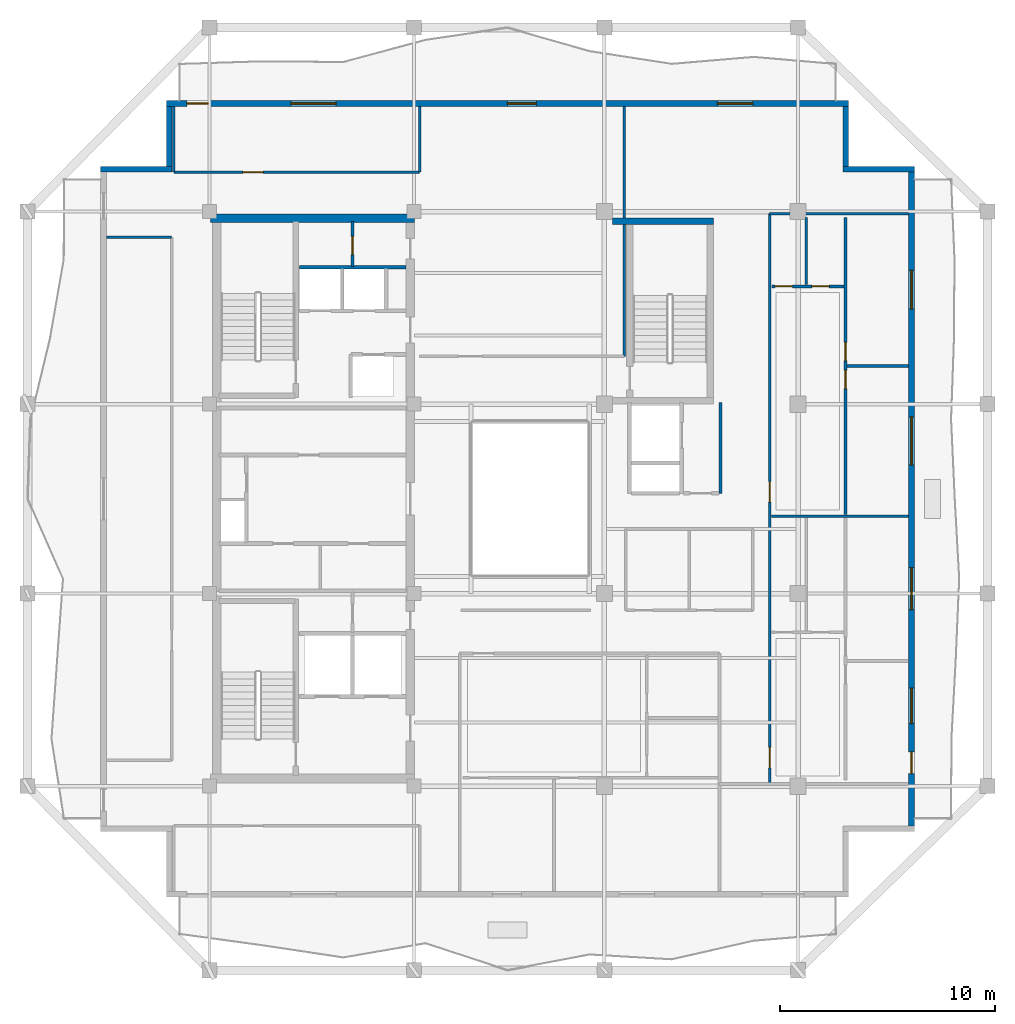
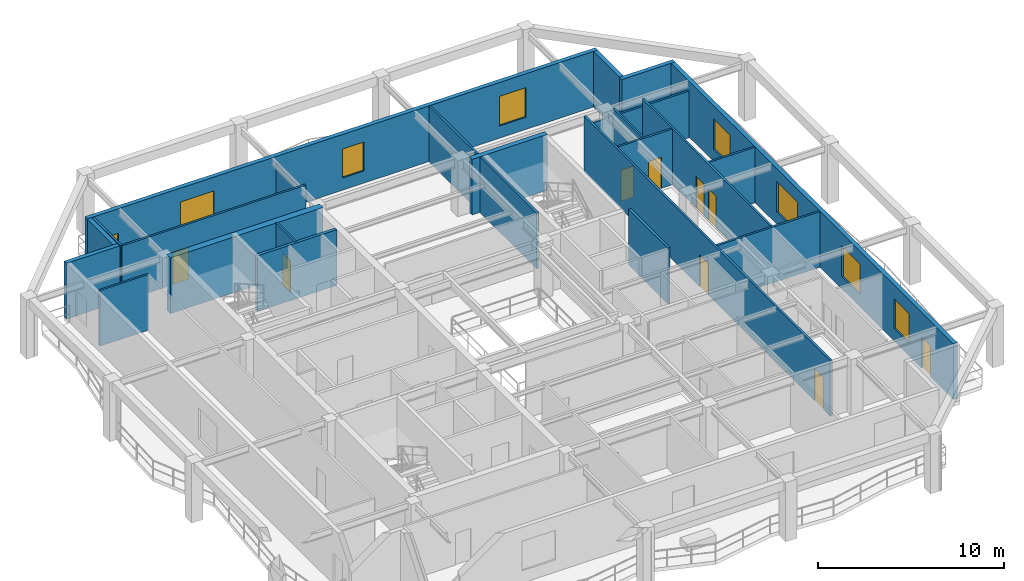
# One storey, part 5 of 10: 23 walls, 10 doors, 7 windows, 17 openings.
"""IFC4 building model written with IfcOpenShell, lengths in metres."""

from ifc_helpers import new_model, si_unit, direction, frame, frame_2d, origin, place, context, subcontext, project, spatial, rectangle, extrude, material, layer, layer_set, type_object, element, fill, save


model = new_model("IFC4")

# Units and contexts
model_context = context("Model", 3, precision=1e-05, world=origin(), true_north=direction((0.0, 1.0)))
body_context = subcontext(model_context, "Body", "Model", "MODEL_VIEW")
ifc_project = project(units=[si_unit("LENGTHUNIT", "METRE"), si_unit("AREAUNIT", "SQUARE_METRE"), si_unit("VOLUMEUNIT", "CUBIC_METRE"), si_unit("PLANEANGLEUNIT", "RADIAN"), si_unit("MASSUNIT", "GRAM", prefix="KILO")], contexts=[model_context])

# Site, building, storey
site_placement = place(None, origin())
site = spatial("IfcSite", under=ifc_project, at=site_placement, CompositionType="ELEMENT")
building_placement = place(site_placement, origin())
building = spatial("IfcBuilding", under=site, at=building_placement, Name="Kundavana Baori Tower", CompositionType="ELEMENT")
storey_placement = place(building_placement, frame((0.0, 0.0, 272.60009765625)))
storey = spatial("IfcBuildingStorey", under=building, at=storey_placement, Name="L67", CompositionType="ELEMENT", Elevation=272.60009765625)

# Wall
ifc_material_1 = material(Name="Concrete C50/60", Category="concrete")
ifc_layer_1 = layer(ifc_material_1, 0.39990234375, Name="WL-CORE-400")
ifc_layer_set_1 = layer_set([ifc_layer_1], Name="Concrete C50/60")
wall_type_1 = type_object("IfcWallType", Name="WL-CORE-400", PredefinedType="SHEAR", material=ifc_layer_set_1)
wall_1_placement = place(storey_placement, frame((15.5, 41.639892578125, 0.0), z_axis=(0.0, 0.0, 1.0), x_axis=(1.0, 0.0, 0.0)))
element("IfcWall", 1, at=wall_1_placement, inside=storey, type_object=wall_type_1, Name="L67 Offset Core North Shear Wall", PredefinedType="SHEAR", context=body_context, shape_type="SweptSolid", body=[
    extrude(rectangle(XDim=9.47998046875, YDim=0.39990234375, at=frame_2d((4.739990234375, 0.0))), origin(), (0.0, 0.0, 1.0), 3.659912109375),
])

# Wall, openings, door, windows
ifc_material_2 = material(Name="Kiln-Fired Terracotta Brick-Slip Masonry on Concrete C40/50", Category="masonry")
ifc_layer_2 = layer(ifc_material_2, 0.260009765625, Name="WL-EXT-BRK-260")
ifc_layer_set_2 = layer_set([ifc_layer_2], Name="Kiln-Fired Terracotta Brick-Slip Masonry on Concrete C40/50")
wall_type_2 = type_object("IfcWallType", Name="WL-EXT-BRK-260", PredefinedType="SOLIDWALL", material=ifc_layer_set_2)
wall_2_placement = place(storey_placement, frame((48.070068359375, 13.409912109375, 0.0), z_axis=(0.0, 0.0, 1.0), x_axis=(0.0, 1.0, 0.0)))
wall_2 = element("IfcWall", 2, at=wall_2_placement, inside=storey, type_object=wall_type_2, Name="L67 Exterior Insulated Facade Wall 04", PredefinedType="SOLIDWALL", context=body_context, shape_type="SweptSolid", body=[
    extrude(rectangle(XDim=30.380126953125, YDim=0.260009765625, at=frame_2d((15.18994140625, 0.0))), origin(), (0.0, 0.0, 1.0), 3.659912109375),
])
opening_1_placement = place(wall_2_placement, frame((2.429931640625, 0.0, 0.0)))
opening_1 = element("IfcOpeningElement", 3, at=opening_1_placement, cuts=wall_2, Name="Opening BD-1", PredefinedType="OPENING", context=body_context, shape_type="SweptSolid", body=[
    extrude(rectangle(XDim=1.0, YDim=2.050048828125, at=frame_2d((0.5, 1.02490234375))), frame((0.0, 0.14013671875, 0.0), z_axis=(0.0, -1.0, 0.0), x_axis=(1.0, 0.0, 0.0)), (0.0, 0.0, 1.0), 0.280029296875),
])
opening_2_placement = place(wall_2_placement, frame((4.75, 0.0, 0.800048828125)))
opening_2 = element("IfcOpeningElement", 4, at=opening_2_placement, cuts=wall_2, Name="Opening W-08", PredefinedType="OPENING", context=body_context, shape_type="SweptSolid", body=[
    extrude(rectangle(XDim=1.64990234375, YDim=1.949951171875, at=frame_2d((0.824951171875, 0.97509765625))), frame((0.0, 0.14013671875, 0.0), z_axis=(0.0, -1.0, 0.0), x_axis=(1.0, 0.0, 0.0)), (0.0, 0.0, 1.0), 0.280029296875),
])
opening_3_placement = place(wall_2_placement, frame((10.050048828125, 0.0, 0.800048828125)))
opening_3 = element("IfcOpeningElement", 5, at=opening_3_placement, cuts=wall_2, Name="Opening W-09", PredefinedType="OPENING", context=body_context, shape_type="SweptSolid", body=[
    extrude(rectangle(XDim=1.949951171875, YDim=2.0, at=frame_2d((0.97509765625, 1.0))), frame((0.0, 0.14013671875, 0.0), z_axis=(0.0, -1.0, 0.0), x_axis=(1.0, 0.0, 0.0)), (0.0, 0.0, 1.0), 0.280029296875),
])
opening_4_placement = place(wall_2_placement, frame((16.7529296875, 0.0, 0.800048828125)))
opening_4 = element("IfcOpeningElement", 6, at=opening_4_placement, cuts=wall_2, Name="Opening W-10", PredefinedType="OPENING", context=body_context, shape_type="SweptSolid", body=[
    extrude(rectangle(XDim=2.25, YDim=2.0, at=frame_2d((1.125, 1.0))), frame((0.0, 0.14013671875, 0.0), z_axis=(0.0, -1.0, 0.0), x_axis=(1.0, 0.0, 0.0)), (0.0, 0.0, 1.0), 0.280029296875),
])
opening_5_placement = place(wall_2_placement, frame((24.0029296875, 0.0, 0.800048828125)))
opening_5 = element("IfcOpeningElement", 7, at=opening_5_placement, cuts=wall_2, Name="Opening W-01", PredefinedType="OPENING", context=body_context, shape_type="SweptSolid", body=[
    extrude(rectangle(XDim=1.800048828125, YDim=2.0, at=frame_2d((0.89990234375, 1.0))), frame((0.0, 0.14013671875, 0.0), z_axis=(0.0, -1.0, 0.0), x_axis=(1.0, 0.0, 0.0)), (0.0, 0.0, 1.0), 0.280029296875),
])
ifc_material_3 = material(Name="Architectural Patinated Bronze Metalwork")
door_type_1 = type_object("IfcDoorType", Name="DR-EXT-LOG-1000", OperationType="NOTDEFINED", PredefinedType="DOOR", material=ifc_material_3)
door_1_placement = place(opening_1_placement, frame((1.0, 0.0, 0.0), z_axis=(0.0, 0.0, 1.0), x_axis=(-1.0, 0.0, 0.0)))
door_1 = element("IfcDoor", 8, at=door_1_placement, inside=storey, type_object=door_type_1, Name="L67 Loggia Balcony Access Door E", OperationType="SINGLE_SWING_RIGHT", OverallHeight=2.050048828125, OverallWidth=1.0, PredefinedType="DOOR", context=body_context, shape_type="SweptSolid", body=[
    extrude(rectangle(XDim=1.0, YDim=2.050048828125, at=frame_2d((0.5, 1.02490234375))), frame((0.0, 0.02490234375, 0.0), z_axis=(0.0, -1.0, 0.0), x_axis=(1.0, 0.0, 0.0)), (0.0, 0.0, 1.0), 0.050048828125),
])
fill(opening_1, door_1)
ifc_material_4 = material(Name="Double-Glazed Solar-Control Low-E Insulated Glass", Category="glass")
window_type_1 = type_object("IfcWindowType", Name="WIN-LOG-1650x1950", PartitioningType="SINGLE_PANEL", PredefinedType="WINDOW", material=ifc_material_4)
window_1_placement = place(opening_2_placement, origin())
window_1 = element("IfcWindow", 9, at=window_1_placement, inside=storey, type_object=window_type_1, Name="L67 Recessed Loggia Window E-1", OverallHeight=1.949951171875, OverallWidth=1.64990234375, PartitioningType="SINGLE_PANEL", PredefinedType="WINDOW", context=body_context, shape_type="SweptSolid", body=[
    extrude(rectangle(XDim=1.64990234375, YDim=1.949951171875, at=frame_2d((0.824951171875, 0.97509765625))), frame((0.0, 0.030029296875, 0.0), z_axis=(0.0, -1.0, 0.0), x_axis=(1.0, 0.0, 0.0)), (0.0, 0.0, 1.0), 0.06005859375),
])
fill(opening_2, window_1)
ifc_material_5 = material(Name="Double-Glazed Solar-Control Low-E Insulated Glass", Category="glass")
window_type_2 = type_object("IfcWindowType", Name="WIN-LOG-1800x2000", PartitioningType="SINGLE_PANEL", PredefinedType="WINDOW", material=ifc_material_5)
window_2_placement = place(opening_5_placement, origin())
window_2 = element("IfcWindow", 10, at=window_2_placement, inside=storey, type_object=window_type_2, Name="L67 Recessed Loggia Window E-4", OverallHeight=2.0, OverallWidth=1.800048828125, PartitioningType="SINGLE_PANEL", PredefinedType="WINDOW", context=body_context, shape_type="SweptSolid", body=[
    extrude(rectangle(XDim=1.800048828125, YDim=2.0, at=frame_2d((0.89990234375, 1.0))), frame((0.0, 0.030029296875, 0.0), z_axis=(0.0, -1.0, 0.0), x_axis=(1.0, 0.0, 0.0)), (0.0, 0.0, 1.0), 0.06005859375),
])
fill(opening_5, window_2)
ifc_material_6 = material(Name="Double-Glazed Solar-Control Low-E Insulated Glass", Category="glass")
window_type_3 = type_object("IfcWindowType", Name="WIN-LOG-1950x2000", PartitioningType="SINGLE_PANEL", PredefinedType="WINDOW", material=ifc_material_6)
window_3_placement = place(opening_3_placement, origin())
window_3 = element("IfcWindow", 11, at=window_3_placement, inside=storey, type_object=window_type_3, Name="L67 Recessed Loggia Window E-2", OverallHeight=2.0, OverallWidth=1.949951171875, PartitioningType="SINGLE_PANEL", PredefinedType="WINDOW", context=body_context, shape_type="SweptSolid", body=[
    extrude(rectangle(XDim=1.949951171875, YDim=2.0, at=frame_2d((0.97509765625, 1.0))), frame((0.0, 0.030029296875, 0.0), z_axis=(0.0, -1.0, 0.0), x_axis=(1.0, 0.0, 0.0)), (0.0, 0.0, 1.0), 0.06005859375),
])
fill(opening_3, window_3)
ifc_material_7 = material(Name="Double-Glazed Solar-Control Low-E Insulated Glass", Category="glass")
window_type_4 = type_object("IfcWindowType", Name="WIN-LOG-2250x2000", PartitioningType="SINGLE_PANEL", PredefinedType="WINDOW", material=ifc_material_7)
window_4_placement = place(opening_4_placement, origin())
window_4 = element("IfcWindow", 12, at=window_4_placement, inside=storey, type_object=window_type_4, Name="L67 Recessed Loggia Window E-3", OverallHeight=2.0, OverallWidth=2.25, PartitioningType="SINGLE_PANEL", PredefinedType="WINDOW", context=body_context, shape_type="SweptSolid", body=[
    extrude(rectangle(XDim=2.25, YDim=2.0, at=frame_2d((1.125, 1.0))), frame((0.0, 0.030029296875, 0.0), z_axis=(0.0, -1.0, 0.0), x_axis=(1.0, 0.0, 0.0)), (0.0, 0.0, 1.0), 0.06005859375),
])
fill(opening_4, window_4)

# Walls
wall_3_placement = place(storey_placement, frame((48.199951171875, 43.919921875, 0.0), z_axis=(0.0, 0.0, 1.0), x_axis=(-1.0, 0.0, 0.0)))
element("IfcWall", 13, at=wall_3_placement, inside=storey, type_object=wall_type_2, Name="L67 Exterior Insulated Facade Wall 05", PredefinedType="SOLIDWALL", context=body_context, shape_type="SweptSolid", body=[
    extrude(rectangle(XDim=3.31005859375, YDim=0.260009765625, at=frame_2d((1.655029296875, 0.0))), origin(), (0.0, 0.0, 1.0), 3.659912109375),
])
wall_4_placement = place(storey_placement, frame((45.02001953125, 44.050048828125, 0.0), z_axis=(0.0, 0.0, 1.0), x_axis=(0.0, 1.0, 0.0)))
element("IfcWall", 14, at=wall_4_placement, inside=storey, type_object=wall_type_2, Name="L67 Exterior Insulated Facade Wall 06", PredefinedType="SOLIDWALL", context=body_context, shape_type="SweptSolid", body=[
    extrude(rectangle(XDim=2.7900390625, YDim=0.260009765625, at=frame_2d((1.39501953125, 0.0))), origin(), (0.0, 0.0, 1.0), 3.659912109375),
])

# Wall, openings, door, windows
wall_5_placement = place(storey_placement, frame((45.14990234375, 46.969970703125, 0.0), z_axis=(0.0, 0.0, 1.0), x_axis=(-1.0, 0.0, 0.0)))
wall_5 = element("IfcWall", 15, at=wall_5_placement, inside=storey, type_object=wall_type_2, Name="L67 Exterior Insulated Facade Wall 07", PredefinedType="SOLIDWALL", context=body_context, shape_type="SweptSolid", body=[
    extrude(rectangle(XDim=31.699951171875, YDim=0.260009765625, at=frame_2d((15.85009765625, 0.0))), origin(), (0.0, 0.0, 1.0), 3.659912109375),
])
opening_6_placement = place(wall_5_placement, frame((29.75, 0.0, 0.0)))
opening_6 = element("IfcOpeningElement", 16, at=opening_6_placement, cuts=wall_5, Name="Opening BD-1", PredefinedType="OPENING", context=body_context, shape_type="SweptSolid", body=[
    extrude(rectangle(XDim=1.0, YDim=2.050048828125, at=frame_2d((0.5, 1.02490234375))), frame((0.0, 0.14013671875, 0.0), z_axis=(0.0, -1.0, 0.0), x_axis=(1.0, 0.0, 0.0)), (0.0, 0.0, 1.0), 0.280029296875),
])
opening_7_placement = place(wall_5_placement, frame((23.81494140625, 0.0, 0.800048828125)))
opening_7 = element("IfcOpeningElement", 17, at=opening_7_placement, cuts=wall_5, Name="Opening W-05", PredefinedType="OPENING", context=body_context, shape_type="SweptSolid", body=[
    extrude(rectangle(XDim=2.10009765625, YDim=1.949951171875, at=frame_2d((1.050048828125, 0.97509765625))), frame((0.0, 0.14013671875, 0.0), z_axis=(0.0, -1.0, 0.0), x_axis=(1.0, 0.0, 0.0)), (0.0, 0.0, 1.0), 0.280029296875),
])
opening_8_placement = place(wall_5_placement, frame((14.5048828125, 0.0, 0.800048828125)))
opening_8 = element("IfcOpeningElement", 18, at=opening_8_placement, cuts=wall_5, Name="Opening W-07", PredefinedType="OPENING", context=body_context, shape_type="SweptSolid", body=[
    extrude(rectangle(XDim=1.35009765625, YDim=1.89990234375, at=frame_2d((0.675048828125, 0.949951171875))), frame((0.0, 0.14013671875, 0.0), z_axis=(0.0, -1.0, 0.0), x_axis=(1.0, 0.0, 0.0)), (0.0, 0.0, 1.0), 0.280029296875),
])
opening_9_placement = place(wall_5_placement, frame((4.445068359375, 0.0, 0.800048828125)))
opening_9 = element("IfcOpeningElement", 19, at=opening_9_placement, cuts=wall_5, Name="Opening W-08", PredefinedType="OPENING", context=body_context, shape_type="SweptSolid", body=[
    extrude(rectangle(XDim=1.64990234375, YDim=1.949951171875, at=frame_2d((0.824951171875, 0.97509765625))), frame((0.0, 0.14013671875, 0.0), z_axis=(0.0, -1.0, 0.0), x_axis=(1.0, 0.0, 0.0)), (0.0, 0.0, 1.0), 0.280029296875),
])
door_2_placement = place(opening_6_placement, frame((1.0, 0.0, 0.0), z_axis=(0.0, 0.0, 1.0), x_axis=(-1.0, 0.0, 0.0)))
door_2 = element("IfcDoor", 20, at=door_2_placement, inside=storey, type_object=door_type_1, Name="L67 Loggia Balcony Access Door N", OperationType="SINGLE_SWING_LEFT", OverallHeight=2.050048828125, OverallWidth=1.0, PredefinedType="DOOR", context=body_context, shape_type="SweptSolid", body=[
    extrude(rectangle(XDim=1.0, YDim=2.050048828125, at=frame_2d((0.5, 1.02490234375))), frame((0.0, 0.02490234375, 0.0), z_axis=(0.0, -1.0, 0.0), x_axis=(1.0, 0.0, 0.0)), (0.0, 0.0, 1.0), 0.050048828125),
])
fill(opening_6, door_2)
ifc_material_8 = material(Name="Double-Glazed Solar-Control Low-E Insulated Glass", Category="glass")
window_type_5 = type_object("IfcWindowType", Name="WIN-LOG-1350x1900", PartitioningType="SINGLE_PANEL", PredefinedType="WINDOW", material=ifc_material_8)
window_5_placement = place(opening_8_placement, origin())
window_5 = element("IfcWindow", 21, at=window_5_placement, inside=storey, type_object=window_type_5, Name="L67 Recessed Loggia Window N-2", OverallHeight=1.89990234375, OverallWidth=1.35009765625, PartitioningType="SINGLE_PANEL", PredefinedType="WINDOW", context=body_context, shape_type="SweptSolid", body=[
    extrude(rectangle(XDim=1.35009765625, YDim=1.89990234375, at=frame_2d((0.675048828125, 0.949951171875))), frame((0.0, 0.030029296875, 0.0), z_axis=(0.0, -1.0, 0.0), x_axis=(1.0, 0.0, 0.0)), (0.0, 0.0, 1.0), 0.06005859375),
])
fill(opening_8, window_5)
window_6_placement = place(opening_9_placement, origin())
window_6 = element("IfcWindow", 22, at=window_6_placement, inside=storey, type_object=window_type_1, Name="L67 Recessed Loggia Window N-3", OverallHeight=1.949951171875, OverallWidth=1.64990234375, PartitioningType="SINGLE_PANEL", PredefinedType="WINDOW", context=body_context, shape_type="SweptSolid", body=[
    extrude(rectangle(XDim=1.64990234375, YDim=1.949951171875, at=frame_2d((0.824951171875, 0.97509765625))), frame((0.0, 0.030029296875, 0.0), z_axis=(0.0, -1.0, 0.0), x_axis=(1.0, 0.0, 0.0)), (0.0, 0.0, 1.0), 0.06005859375),
])
fill(opening_9, window_6)
ifc_material_9 = material(Name="Double-Glazed Solar-Control Low-E Insulated Glass", Category="glass")
window_type_6 = type_object("IfcWindowType", Name="WIN-LOG-2100x1950", PartitioningType="SINGLE_PANEL", PredefinedType="WINDOW", material=ifc_material_9)
window_7_placement = place(opening_7_placement, origin())
window_7 = element("IfcWindow", 23, at=window_7_placement, inside=storey, type_object=window_type_6, Name="L67 Recessed Loggia Window N-1", OverallHeight=1.949951171875, OverallWidth=2.10009765625, PartitioningType="SINGLE_PANEL", PredefinedType="WINDOW", context=body_context, shape_type="SweptSolid", body=[
    extrude(rectangle(XDim=2.10009765625, YDim=1.949951171875, at=frame_2d((1.050048828125, 0.97509765625))), frame((0.0, 0.030029296875, 0.0), z_axis=(0.0, -1.0, 0.0), x_axis=(1.0, 0.0, 0.0)), (0.0, 0.0, 1.0), 0.06005859375),
])
fill(opening_7, window_7)

# Walls
wall_6_placement = place(storey_placement, frame((13.580078125, 46.840087890625, 0.0), z_axis=(0.0, 0.0, 1.0), x_axis=(0.0, -1.0, 0.0)))
element("IfcWall", 24, at=wall_6_placement, inside=storey, type_object=wall_type_2, Name="L67 Exterior Insulated Facade Wall 08", PredefinedType="SOLIDWALL", context=body_context, shape_type="SweptSolid", body=[
    extrude(rectangle(XDim=2.7900390625, YDim=0.260009765625, at=frame_2d((1.39501953125, 0.0))), origin(), (0.0, 0.0, 1.0), 3.659912109375),
])
wall_7_placement = place(storey_placement, frame((13.7099609375, 43.919921875, 0.0), z_axis=(0.0, 0.0, 1.0), x_axis=(-1.0, 0.0, 0.0)))
element("IfcWall", 25, at=wall_7_placement, inside=storey, type_object=wall_type_2, Name="L67 Exterior Insulated Facade Wall 09", PredefinedType="SOLIDWALL", context=body_context, shape_type="SweptSolid", body=[
    extrude(rectangle(XDim=3.31005859375, YDim=0.260009765625, at=frame_2d((1.655029296875, 0.0))), origin(), (0.0, 0.0, 1.0), 3.659912109375),
])

# Wall, opening, door
ifc_material_10 = material(Name="Acoustic Gypsum Plasterboard on Galvanised Steel Studs", Category="steel")
ifc_layer_3 = layer(ifc_material_10, 0.1201171875, Name="WL-PART-120")
ifc_layer_set_3 = layer_set([ifc_layer_3], Name="Acoustic Gypsum Plasterboard on Galvanised Steel Studs")
wall_type_3 = type_object("IfcWallType", Name="WL-PART-120", PredefinedType="PARTITIONING", material=ifc_layer_set_3)
wall_8_placement = place(storey_placement, frame((22.10009765625, 39.39990234375, 0.0), z_axis=(0.0, 0.0, 1.0), x_axis=(0.0, 1.0, 0.0)))
wall_8 = element("IfcWall", 26, at=wall_8_placement, inside=storey, type_object=wall_type_3, Name="WL-L67-CSRV-D1", PredefinedType="PARTITIONING", context=body_context, shape_type="SweptSolid", body=[
    extrude(rectangle(XDim=2.080078125, YDim=0.1201171875, at=frame_2d((1.0400390625, 0.0))), origin(), (0.0, 0.0, 1.0), 3.659912109375),
])
opening_10_placement = place(wall_8_placement, frame((0.550048828125, 0.0, 0.0)))
opening_10 = element("IfcOpeningElement", 27, at=opening_10_placement, cuts=wall_8, Name="Opening FD-085", PredefinedType="OPENING", context=body_context, shape_type="SweptSolid", body=[
    extrude(rectangle(XDim=0.85009765625, YDim=2.06005859375, at=frame_2d((0.425048828125, 1.030029296875))), frame((0.0, 0.070068359375, 0.0), z_axis=(0.0, -1.0, 0.0), x_axis=(1.0, 0.0, 0.0)), (0.0, 0.0, 1.0), 0.14013671875),
])
ifc_material_11 = material(Name="Galvanised Steel Fire-Rated Door Leaf", Category="steel")
door_type_2 = type_object("IfcDoorType", Name="DR-FD60-850", OperationType="NOTDEFINED", PredefinedType="DOOR", material=ifc_material_11)
door_3_placement = place(opening_10_placement, origin())
door_3 = element("IfcDoor", 28, at=door_3_placement, inside=storey, type_object=door_type_2, Name="DR-L67-CSRV1", OperationType="SINGLE_SWING_LEFT", OverallHeight=2.06005859375, OverallWidth=0.85009765625, PredefinedType="DOOR", context=body_context, shape_type="SweptSolid", body=[
    extrude(rectangle(XDim=0.85009765625, YDim=2.06005859375, at=frame_2d((0.425048828125, 1.030029296875))), frame((0.0, 0.02490234375, 0.0), z_axis=(0.0, -1.0, 0.0), x_axis=(1.0, 0.0, 0.0)), (0.0, 0.0, 1.0), 0.050048828125),
])
fill(opening_10, door_3)

# Walls
ifc_material_12 = material(Name="Fire-Rated Gypsum Drywall on Galvanised Steel Studs", Category="steel")
ifc_layer_4 = layer(ifc_material_12, 0.14990234375, Name="WL-PART-150")
ifc_layer_set_4 = layer_set([ifc_layer_4], Name="Fire-Rated Gypsum Drywall on Galvanised Steel Studs")
wall_type_4 = type_object("IfcWallType", Name="WL-PART-150", PredefinedType="PARTITIONING", material=ifc_layer_set_4)
wall_9_placement = place(storey_placement, frame((39.199951171875, 28.860107421875, 0.0), z_axis=(0.0, 0.0, 1.0), x_axis=(0.0, 1.0, 0.0)))
element("IfcWall", 29, at=wall_9_placement, inside=storey, type_object=wall_type_4, Name="WL-L67-SVLOB-E", PredefinedType="PARTITIONING", context=body_context, shape_type="SweptSolid", body=[
    extrude(rectangle(XDim=4.219970703125, YDim=0.14990234375, at=frame_2d((2.10986328125, 0.0))), origin(), (0.0, 0.0, 1.0), 3.659912109375),
])
ifc_material_13 = material(Name="Autoclaved Aerated Concrete Blockwork Masonry", Category="masonry")
ifc_layer_5 = layer(ifc_material_13, 0.179931640625, Name="WL-SHAFT-180")
ifc_layer_set_5 = layer_set([ifc_layer_5], Name="Autoclaved Aerated Concrete Blockwork Masonry")
wall_type_5 = type_object("IfcWallType", Name="WL-SHAFT-180", PredefinedType="SOLIDWALL", material=ifc_layer_set_5)
wall_10_placement = place(storey_placement, frame((19.639892578125, 39.360107421875, 0.0), z_axis=(0.0, 0.0, 1.0), x_axis=(1.0, 0.0, 0.0)))
element("IfcWall", 30, at=wall_10_placement, inside=storey, type_object=wall_type_5, Name="WL-L67-HRLOB-TOP", PredefinedType="SOLIDWALL", context=body_context, shape_type="SweptSolid", body=[
    extrude(rectangle(XDim=4.940185546875, YDim=0.179931640625, at=frame_2d((2.47021484375, 0.0))), origin(), (0.0, 0.0, 1.0), 3.659912109375),
])
ifc_material_14 = material(Name="Concrete C50/60", Category="concrete")
ifc_layer_6 = layer(ifc_material_14, 0.300048828125, Name="WL-ST3-300")
ifc_layer_set_6 = layer_set([ifc_layer_6], Name="Concrete C50/60")
wall_type_6 = type_object("IfcWallType", Name="WL-ST3-300", PredefinedType="SHEAR", material=ifc_layer_set_6)
wall_11_placement = place(storey_placement, frame((34.175048828125, 41.489990234375, 0.0), z_axis=(0.0, 0.0, 1.0), x_axis=(1.0, 0.0, 0.0)))
element("IfcWall", 31, at=wall_11_placement, inside=storey, type_object=wall_type_6, Name="L67 Stair ST3 North Shear Wall", PredefinedType="SHEAR", context=body_context, shape_type="SweptSolid", body=[
    extrude(rectangle(XDim=4.695068359375, YDim=0.300048828125, at=frame_2d((2.34765625, 0.0))), origin(), (0.0, 0.0, 1.0), 3.659912109375),
])

# Wall, opening, door
ifc_material_15 = material(Name="Autoclaved Aerated Concrete Blockwork Masonry", Category="masonry")
ifc_layer_7 = layer(ifc_material_15, 0.125, Name="WL-WET-120")
ifc_layer_set_7 = layer_set([ifc_layer_7], Name="Autoclaved Aerated Concrete Blockwork Masonry")
wall_type_7 = type_object("IfcWallType", Name="WL-WET-120", PredefinedType="PLUMBINGWALL", material=ifc_layer_set_7)
wall_12_placement = place(storey_placement, frame((13.800048828125, 43.780029296875, 0.0), z_axis=(0.0, 0.0, 1.0), x_axis=(1.0, 0.0, 0.0)))
wall_12 = element("IfcWall", 32, at=wall_12_placement, inside=storey, type_object=wall_type_7, Name="WL-L67-RNC", PredefinedType="PLUMBINGWALL", context=body_context, shape_type="SweptSolid", body=[
    extrude(rectangle(XDim=11.419921875, YDim=0.125, at=frame_2d((5.7099609375, 0.0))), origin(), (0.0, 0.0, 1.0), 3.659912109375),
])
opening_11_placement = place(wall_12_placement, frame((3.199951171875, 0.0, 0.0)))
opening_11 = element("IfcOpeningElement", 33, at=opening_11_placement, cuts=wall_12, Name="Opening ID-095", PredefinedType="OPENING", context=body_context, shape_type="SweptSolid", body=[
    extrude(rectangle(XDim=0.949951171875, YDim=2.080078125, at=frame_2d((0.47509765625, 1.0400390625))), frame((0.0, 0.072509765625, 0.0), z_axis=(0.0, -1.0, 0.0), x_axis=(1.0, 0.0, 0.0)), (0.0, 0.0, 1.0), 0.14501953125),
])
ifc_material_16 = material(Name="Engineered Teak Solid-Core Timber Veneer", Category="wood")
door_type_3 = type_object("IfcDoorType", Name="DR-INT-950", OperationType="NOTDEFINED", PredefinedType="DOOR", material=ifc_material_16)
door_4_placement = place(opening_11_placement, origin())
door_4 = element("IfcDoor", 34, at=door_4_placement, inside=storey, type_object=door_type_3, Name="DR-L67-RMNW", OperationType="SINGLE_SWING_RIGHT", OverallHeight=2.080078125, OverallWidth=0.949951171875, PredefinedType="DOOR", context=body_context, shape_type="SweptSolid", body=[
    extrude(rectangle(XDim=0.949951171875, YDim=2.080078125, at=frame_2d((0.47509765625, 1.0400390625))), frame((0.0, 0.02490234375, 0.0), z_axis=(0.0, -1.0, 0.0), x_axis=(1.0, 0.0, 0.0)), (0.0, 0.0, 1.0), 0.050048828125),
])
fill(opening_11, door_4)

# Walls
wall_13_placement = place(storey_placement, frame((13.800048828125, 43.780029296875, 0.0), z_axis=(0.0, 0.0, 1.0), x_axis=(0.0, 1.0, 0.0)))
element("IfcWall", 35, at=wall_13_placement, inside=storey, type_object=wall_type_7, Name="WL-L67-RNCW", PredefinedType="PLUMBINGWALL", context=body_context, shape_type="SweptSolid", body=[
    extrude(rectangle(XDim=3.0400390625, YDim=0.125, at=frame_2d((1.52001953125, 0.0))), origin(), (0.0, 0.0, 1.0), 3.659912109375),
])
wall_14_placement = place(storey_placement, frame((25.219970703125, 43.780029296875, 0.0), z_axis=(0.0, 0.0, 1.0), x_axis=(0.0, 1.0, 0.0)))
element("IfcWall", 36, at=wall_14_placement, inside=storey, type_object=wall_type_7, Name="WL-L67-RNCE", PredefinedType="PLUMBINGWALL", context=body_context, shape_type="SweptSolid", body=[
    extrude(rectangle(XDim=3.0400390625, YDim=0.125, at=frame_2d((1.52001953125, 0.0))), origin(), (0.0, 0.0, 1.0), 3.2099609375),
])
wall_15_placement = place(storey_placement, frame((10.679931640625, 40.75, 0.0), z_axis=(0.0, 0.0, 1.0), x_axis=(1.0, 0.0, 0.0)))
element("IfcWall", 37, at=wall_15_placement, inside=storey, type_object=wall_type_7, Name="WL-L67-RWN", PredefinedType="PLUMBINGWALL", context=body_context, shape_type="SweptSolid", body=[
    extrude(rectangle(XDim=3.02001953125, YDim=0.125, at=frame_2d((1.510009765625, 0.0))), origin(), (0.0, 0.0, 1.0), 3.659912109375),
])
wall_16_placement = place(storey_placement, frame((34.719970703125, 35.219970703125, 0.0), z_axis=(0.0, 0.0, 1.0), x_axis=(0.0, 1.0, 0.0)))
element("IfcWall", 38, at=wall_16_placement, inside=storey, type_object=wall_type_7, Name="WL-L67-RNEND", PredefinedType="PLUMBINGWALL", context=body_context, shape_type="SweptSolid", body=[
    extrude(rectangle(XDim=11.60009765625, YDim=0.125, at=frame_2d((5.800048828125, 0.0))), origin(), (0.0, 0.0, 1.0), 3.659912109375),
])

# Wall, openings, doors
wall_17_placement = place(storey_placement, frame((41.47998046875, 15.35009765625, 0.0), z_axis=(0.0, 0.0, 1.0), x_axis=(0.0, 1.0, 0.0)))
wall_17 = element("IfcWall", 39, at=wall_17_placement, inside=storey, type_object=wall_type_7, Name="WL-L67-RE", PredefinedType="PLUMBINGWALL", context=body_context, shape_type="SweptSolid", body=[
    extrude(rectangle(XDim=26.5, YDim=0.125, at=frame_2d((13.25, 0.0))), origin(), (0.0, 0.0, 1.0), 3.659912109375),
])
opening_12_placement = place(wall_17_placement, frame((0.75, 0.0, 0.0)))
opening_12 = element("IfcOpeningElement", 40, at=opening_12_placement, cuts=wall_17, Name="Opening FD-095", PredefinedType="OPENING", context=body_context, shape_type="SweptSolid", body=[
    extrude(rectangle(XDim=0.949951171875, YDim=2.10009765625, at=frame_2d((0.47509765625, 1.050048828125))), frame((0.0, 0.072509765625, 0.0), z_axis=(0.0, -1.0, 0.0), x_axis=(1.0, 0.0, 0.0)), (0.0, 0.0, 1.0), 0.14501953125),
])
opening_13_placement = place(wall_17_placement, frame((13.10009765625, 0.0, 0.0)))
opening_13 = element("IfcOpeningElement", 41, at=opening_13_placement, cuts=wall_17, Name="Opening FD-095", PredefinedType="OPENING", context=body_context, shape_type="SweptSolid", body=[
    extrude(rectangle(XDim=0.949951171875, YDim=2.10009765625, at=frame_2d((0.47509765625, 1.050048828125))), frame((0.0, 0.072509765625, 0.0), z_axis=(0.0, -1.0, 0.0), x_axis=(1.0, 0.0, 0.0)), (0.0, 0.0, 1.0), 0.14501953125),
])
ifc_material_17 = material(Name="Engineered Teak Fire-Rated Timber Door Leaf", Category="wood")
door_type_4 = type_object("IfcDoorType", Name="DR-FD60-950", OperationType="NOTDEFINED", PredefinedType="DOOR", material=ifc_material_17)
door_5_placement = place(opening_12_placement, origin())
door_5 = element("IfcDoor", 42, at=door_5_placement, inside=storey, type_object=door_type_4, Name="DR-L67-E1-ENT", OperationType="SINGLE_SWING_LEFT", OverallHeight=2.10009765625, OverallWidth=0.949951171875, PredefinedType="DOOR", context=body_context, shape_type="SweptSolid", body=[
    extrude(rectangle(XDim=0.949951171875, YDim=2.10009765625, at=frame_2d((0.47509765625, 1.050048828125))), frame((0.0, 0.02490234375, 0.0), z_axis=(0.0, -1.0, 0.0), x_axis=(1.0, 0.0, 0.0)), (0.0, 0.0, 1.0), 0.050048828125),
])
fill(opening_12, door_5)
door_6_placement = place(opening_13_placement, origin())
door_6 = element("IfcDoor", 43, at=door_6_placement, inside=storey, type_object=door_type_4, Name="DR-L67-E2-ENT", OperationType="SINGLE_SWING_LEFT", OverallHeight=2.10009765625, OverallWidth=0.949951171875, PredefinedType="DOOR", context=body_context, shape_type="SweptSolid", body=[
    extrude(rectangle(XDim=0.949951171875, YDim=2.10009765625, at=frame_2d((0.47509765625, 1.050048828125))), frame((0.0, 0.02490234375, 0.0), z_axis=(0.0, -1.0, 0.0), x_axis=(1.0, 0.0, 0.0)), (0.0, 0.0, 1.0), 0.050048828125),
])
fill(opening_13, door_6)

# Walls
wall_18_placement = place(storey_placement, frame((41.47998046875, 41.85009765625, 0.0), z_axis=(0.0, 0.0, 1.0), x_axis=(1.0, 0.0, 0.0)))
element("IfcWall", 44, at=wall_18_placement, inside=storey, type_object=wall_type_7, Name="WL-L67-REN", PredefinedType="PLUMBINGWALL", context=body_context, shape_type="SweptSolid", body=[
    extrude(rectangle(XDim=6.43994140625, YDim=0.125, at=frame_2d((3.219970703125, 0.0))), origin(), (0.0, 0.0, 1.0), 3.059814453125),
])
wall_19_placement = place(storey_placement, frame((41.56005859375, 27.800048828125, 0.0), z_axis=(0.0, 0.0, 1.0), x_axis=(1.0, 0.0, 0.0)))
element("IfcWall", 45, at=wall_19_placement, inside=storey, type_object=wall_type_7, Name="WL-L67-RED1", PredefinedType="PLUMBINGWALL", context=body_context, shape_type="SweptSolid", body=[
    extrude(rectangle(XDim=6.35986328125, YDim=0.125, at=frame_2d((3.179931640625, 0.0))), origin(), (0.0, 0.0, 1.0), 3.659912109375),
])

# Wall, openings, doors
wall_20_placement = place(storey_placement, frame((45.00390625, 27.8798828125, 0.0), z_axis=(0.0, 0.0, 1.0), x_axis=(0.0, 1.0, 0.0)))
wall_20 = element("IfcWall", 46, at=wall_20_placement, inside=storey, type_object=wall_type_7, Name="WL-L67-E2-VT", PredefinedType="PLUMBINGWALL", context=body_context, shape_type="SweptSolid", body=[
    extrude(rectangle(XDim=13.7900390625, YDim=0.125, at=frame_2d((6.89501953125, 0.0))), origin(), (0.0, 0.0, 1.0), 3.659912109375),
])
opening_14_placement = place(wall_20_placement, frame((5.844970703125, 0.0, 0.0)))
opening_14 = element("IfcOpeningElement", 47, at=opening_14_placement, cuts=wall_20, Name="Opening ID-085", PredefinedType="OPENING", context=body_context, shape_type="SweptSolid", body=[
    extrude(rectangle(XDim=0.85009765625, YDim=2.080078125, at=frame_2d((0.425048828125, 1.0400390625))), frame((0.0, 0.072509765625, 0.0), z_axis=(0.0, -1.0, 0.0), x_axis=(1.0, 0.0, 0.0)), (0.0, 0.0, 1.0), 0.14501953125),
])
opening_15_placement = place(wall_20_placement, frame((7.14501953125, 0.0, 0.0)))
opening_15 = element("IfcOpeningElement", 48, at=opening_15_placement, cuts=wall_20, Name="Opening ID-085", PredefinedType="OPENING", context=body_context, shape_type="SweptSolid", body=[
    extrude(rectangle(XDim=0.85009765625, YDim=2.080078125, at=frame_2d((0.425048828125, 1.0400390625))), frame((0.0, 0.072509765625, 0.0), z_axis=(0.0, -1.0, 0.0), x_axis=(1.0, 0.0, 0.0)), (0.0, 0.0, 1.0), 0.14501953125),
])
ifc_material_18 = material(Name="Engineered Teak Solid-Core Timber Veneer", Category="wood")
door_type_5 = type_object("IfcDoorType", Name="DR-INT-850", OperationType="NOTDEFINED", PredefinedType="DOOR", material=ifc_material_18)
door_7_placement = place(opening_14_placement, origin())
door_7 = element("IfcDoor", 49, at=door_7_placement, inside=storey, type_object=door_type_5, Name="DR-L67-E2-B1", OperationType="SINGLE_SWING_LEFT", OverallHeight=2.080078125, OverallWidth=0.85009765625, PredefinedType="DOOR", context=body_context, shape_type="SweptSolid", body=[
    extrude(rectangle(XDim=0.85009765625, YDim=2.080078125, at=frame_2d((0.425048828125, 1.0400390625))), frame((0.0, 0.02490234375, 0.0), z_axis=(0.0, -1.0, 0.0), x_axis=(1.0, 0.0, 0.0)), (0.0, 0.0, 1.0), 0.050048828125),
])
fill(opening_14, door_7)
door_8_placement = place(opening_15_placement, origin())
door_8 = element("IfcDoor", 50, at=door_8_placement, inside=storey, type_object=door_type_5, Name="DR-L67-E2-B2", OperationType="SINGLE_SWING_RIGHT", OverallHeight=2.080078125, OverallWidth=0.85009765625, PredefinedType="DOOR", context=body_context, shape_type="SweptSolid", body=[
    extrude(rectangle(XDim=0.85009765625, YDim=2.080078125, at=frame_2d((0.425048828125, 1.0400390625))), frame((0.0, 0.02490234375, 0.0), z_axis=(0.0, -1.0, 0.0), x_axis=(1.0, 0.0, 0.0)), (0.0, 0.0, 1.0), 0.050048828125),
])
fill(opening_15, door_8)

wall_21_placement = place(storey_placement, frame((41.580078125, 38.469970703125, 0.0), z_axis=(0.0, 0.0, 1.0), x_axis=(1.0, 0.0, 0.0)))
wall_21 = element("IfcWall", 51, at=wall_21_placement, inside=storey, type_object=wall_type_7, Name="WL-L67-E2-KH", PredefinedType="PLUMBINGWALL", context=body_context, shape_type="SweptSolid", body=[
    extrude(rectangle(XDim=3.343994140625, YDim=0.125, at=frame_2d((1.671875, 0.0))), origin(), (0.0, 0.0, 1.0), 3.659912109375),
])
opening_16_placement = place(wall_21_placement, frame((0.159912109375, 0.0, 0.0)))
opening_16 = element("IfcOpeningElement", 52, at=opening_16_placement, cuts=wall_21, Name="Opening WD-080", PredefinedType="OPENING", context=body_context, shape_type="SweptSolid", body=[
    extrude(rectangle(XDim=0.800048828125, YDim=2.050048828125, at=frame_2d((0.39990234375, 1.02490234375))), frame((0.0, 0.072509765625, 0.0), z_axis=(0.0, -1.0, 0.0), x_axis=(1.0, 0.0, 0.0)), (0.0, 0.0, 1.0), 0.14501953125),
])
opening_17_placement = place(wall_21_placement, frame((1.864990234375, 0.0, 0.0)))
opening_17 = element("IfcOpeningElement", 53, at=opening_17_placement, cuts=wall_21, Name="Opening WD-080", PredefinedType="OPENING", context=body_context, shape_type="SweptSolid", body=[
    extrude(rectangle(XDim=0.800048828125, YDim=2.050048828125, at=frame_2d((0.39990234375, 1.02490234375))), frame((0.0, 0.072509765625, 0.0), z_axis=(0.0, -1.0, 0.0), x_axis=(1.0, 0.0, 0.0)), (0.0, 0.0, 1.0), 0.14501953125),
])
ifc_material_19 = material(Name="Engineered Teak Solid-Core Timber Veneer", Category="wood")
door_type_6 = type_object("IfcDoorType", Name="DR-WET-800", OperationType="NOTDEFINED", PredefinedType="DOOR", material=ifc_material_19)
door_9_placement = place(opening_16_placement, origin())
door_9 = element("IfcDoor", 54, at=door_9_placement, inside=storey, type_object=door_type_6, Name="DR-L67-E2-BT", OperationType="SINGLE_SWING_LEFT", OverallHeight=2.050048828125, OverallWidth=0.800048828125, PredefinedType="DOOR", context=body_context, shape_type="SweptSolid", body=[
    extrude(rectangle(XDim=0.800048828125, YDim=2.050048828125, at=frame_2d((0.39990234375, 1.02490234375))), frame((0.0, 0.02490234375, 0.0), z_axis=(0.0, -1.0, 0.0), x_axis=(1.0, 0.0, 0.0)), (0.0, 0.0, 1.0), 0.050048828125),
])
fill(opening_16, door_9)
door_10_placement = place(opening_17_placement, origin())
door_10 = element("IfcDoor", 55, at=door_10_placement, inside=storey, type_object=door_type_6, Name="DR-L67-E2-KT", OperationType="SINGLE_SWING_RIGHT", OverallHeight=2.050048828125, OverallWidth=0.800048828125, PredefinedType="DOOR", context=body_context, shape_type="SweptSolid", body=[
    extrude(rectangle(XDim=0.800048828125, YDim=2.050048828125, at=frame_2d((0.39990234375, 1.02490234375))), frame((0.0, 0.02490234375, 0.0), z_axis=(0.0, -1.0, 0.0), x_axis=(1.0, 0.0, 0.0)), (0.0, 0.0, 1.0), 0.050048828125),
])
fill(opening_17, door_10)

# Walls
wall_22_placement = place(storey_placement, frame((43.18505859375, 38.550048828125, 0.0), z_axis=(0.0, 0.0, 1.0), x_axis=(0.0, 1.0, 0.0)))
element("IfcWall", 56, at=wall_22_placement, inside=storey, type_object=wall_type_7, Name="WL-L67-E2-BV", PredefinedType="PLUMBINGWALL", context=body_context, shape_type="SweptSolid", body=[
    extrude(rectangle(XDim=3.119873046875, YDim=0.125, at=frame_2d((1.56005859375, 0.0))), origin(), (0.0, 0.0, 1.0), 3.659912109375),
])
wall_23_placement = place(storey_placement, frame((45.083984375, 34.77490234375, 0.0), z_axis=(0.0, 0.0, 1.0), x_axis=(1.0, 0.0, 0.0)))
element("IfcWall", 57, at=wall_23_placement, inside=storey, type_object=wall_type_7, Name="WL-L67-E2-BDH", PredefinedType="PLUMBINGWALL", context=body_context, shape_type="SweptSolid", body=[
    extrude(rectangle(XDim=2.8359375, YDim=0.125, at=frame_2d((1.41796875, 0.0))), origin(), (0.0, 0.0, 1.0), 3.659912109375),
])

save(model, "model.ifc")
